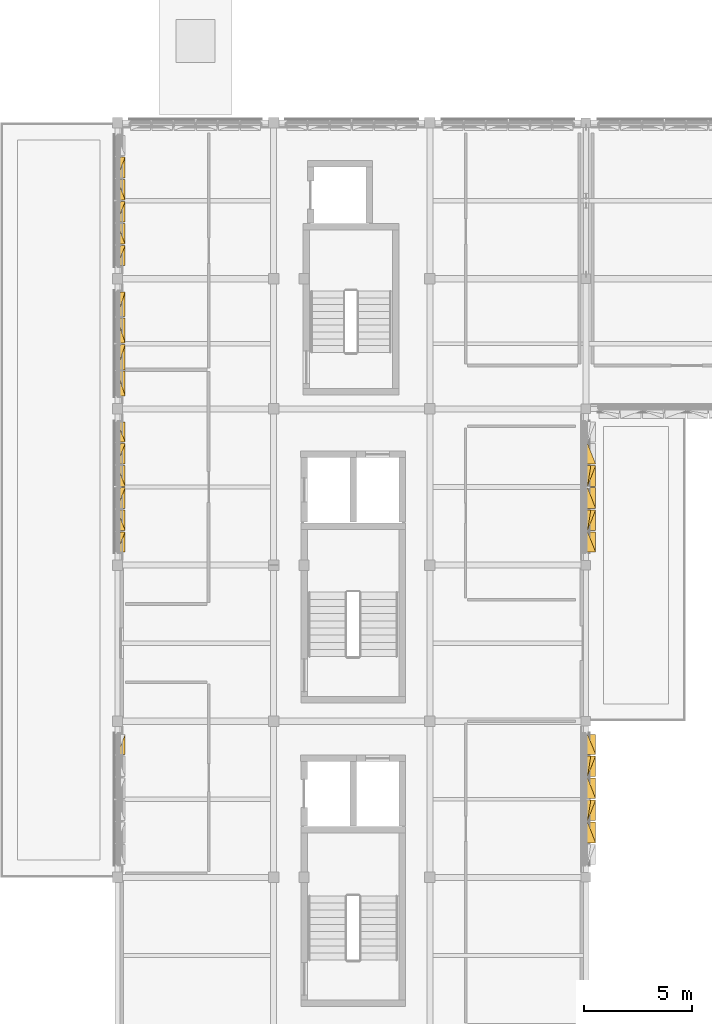
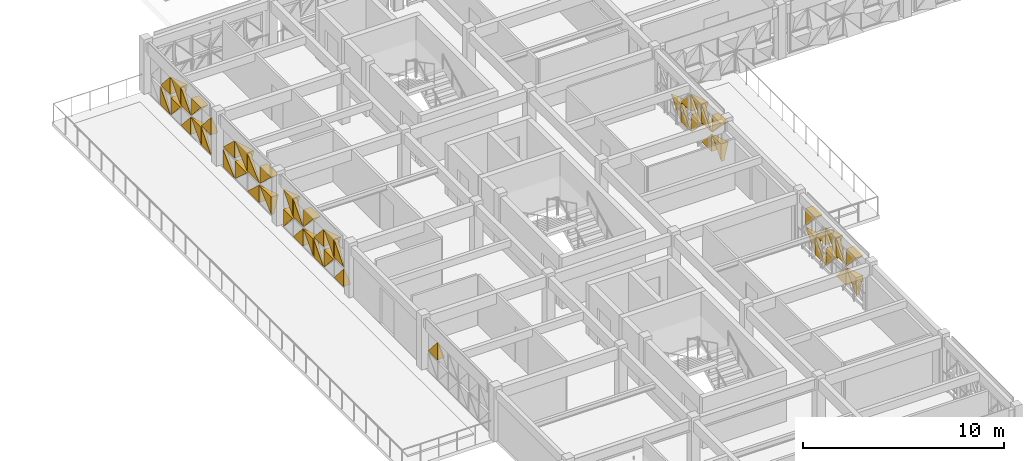
# One storey, part 32 of 35: 50 coverings.
"""IFC4 building model written with IfcOpenShell, lengths in metres."""

from ifc_helpers import new_model, si_unit, direction, frame, origin, place, context, subcontext, project, spatial, polygons, material, layer, layer_set, type_object, element, save


model = new_model("IFC4")

# Units and contexts
model_context = context("Model", 3, precision=1e-05, world=origin(), true_north=direction((0.0, 1.0)))
body_context = subcontext(model_context, "Body", "Model", "MODEL_VIEW")
ifc_project = project(units=[si_unit("LENGTHUNIT", "METRE"), si_unit("AREAUNIT", "SQUARE_METRE"), si_unit("VOLUMEUNIT", "CUBIC_METRE"), si_unit("PLANEANGLEUNIT", "RADIAN"), si_unit("MASSUNIT", "GRAM", prefix="KILO")], contexts=[model_context])

# Site, building, storey
site_placement = place(None, origin())
site = spatial("IfcSite", under=ifc_project, at=site_placement, CompositionType="ELEMENT")
building_placement = place(site_placement, origin())
building = spatial("IfcBuilding", under=site, at=building_placement, Name="Alvorim Cloister Faculty of Sciences", CompositionType="ELEMENT")
storey_placement = place(building_placement, frame((0.0, 0.0, 22.949951171875)))
storey = spatial("IfcBuildingStorey", under=building, at=storey_placement, Name="L06", CompositionType="ELEMENT", Elevation=22.949951171875)

# Coverings
ifc_material = material(Name="Perforated Bronze Alloy Sheet", Category="metal")
ifc_layer = layer(ifc_material, 0.0380859375)
ifc_layer_set = layer_set([ifc_layer], Name="Perforated Bronze Alloy Sheet")
covering_type = type_object("IfcCoveringType", Name="COV-TRI-BRZ", PredefinedType="CLADDING", material=ifc_layer_set)
covering_1_placement = place(storey_placement, frame((7.155029296875, 27.2724609375, 1.344970703125), z_axis=(0.0, 0.0, 1.0), x_axis=(0.0, 1.0, 0.0)))
element("IfcCovering", 1, at=covering_1_placement, inside=storey, type_object=covering_type, Name="Diagonal Solid Metal Triangle TRI-BL", PredefinedType="CLADDING", context=body_context, shape_type="Tessellation", body=[
    polygons([(0.0, 0.0260009765625, 0.0), (0.920607421875, 0.0260009765625, 0.0), (0.0, 0.0260009765625, 1.063185546875), (0.0, -0.4, 0.0), (0.920607421875, -0.4, 0.0), (0.0, -0.03, 1.063185546875)], [[[1, 3, 2]], [[4, 5, 6]], [[1, 2, 5, 4]], [[2, 3, 6, 5]], [[3, 1, 4, 6]]], closed=True),
])
covering_2_placement = place(storey_placement, frame((7.155029296875, 36.60498046875, 0.14013671875), z_axis=(0.0, 0.0, 1.0), x_axis=(0.0, 1.0, 0.0)))
element("IfcCovering", 2, at=covering_2_placement, inside=storey, type_object=covering_type, Name="Diagonal Solid Metal Triangle TRI-BL", PredefinedType="CLADDING", context=body_context, shape_type="Tessellation", body=[
    polygons([(0.0, 0.0260009765625, 0.0), (0.920607421875, 0.0260009765625, 0.0), (0.0, 0.0260009765625, 1.06294140625), (0.0, -0.4, 0.0), (0.920607421875, -0.4, 0.0), (0.0, -0.03, 1.06294140625)], [[[1, 3, 2]], [[4, 5, 6]], [[1, 2, 5, 4]], [[2, 3, 6, 5]], [[3, 1, 4, 6]]], closed=True),
])
covering_3_placement = place(storey_placement, frame((7.155029296875, 36.60498046875, 1.344970703125), z_axis=(0.0, 0.0, 1.0), x_axis=(0.0, 1.0, 0.0)))
element("IfcCovering", 3, at=covering_3_placement, inside=storey, type_object=covering_type, Name="Diagonal Solid Metal Triangle TRI-BR", PredefinedType="CLADDING", context=body_context, shape_type="Tessellation", body=[
    polygons([(0.002, 0.0260009765625, 0.0), (0.922607421875, 0.0260009765625, 0.0), (0.922607421875, 0.0260009765625, 1.063185546875), (0.002, -0.03, 0.0), (0.922607421875, -0.4, 0.0), (0.922607421875, -0.18000000000000002, 1.063185546875)], [[[1, 3, 2]], [[4, 5, 6]], [[1, 2, 5, 4]], [[2, 3, 6, 5]], [[3, 1, 4, 6]]], closed=True),
])
covering_4_placement = place(storey_placement, frame((7.155029296875, 37.592529296875, 0.14013671875), z_axis=(0.0, 0.0, 1.0), x_axis=(0.0, 1.0, 0.0)))
element("IfcCovering", 4, at=covering_4_placement, inside=storey, type_object=covering_type, Name="Diagonal Solid Metal Triangle TRI-TR", PredefinedType="CLADDING", context=body_context, shape_type="Tessellation", body=[
    polygons([(0.955078125, 0.0260009765625, 0.002), (0.955078125, 0.0260009765625, 1.06494140625), (0.002, 0.0260009765625, 1.06494140625), (0.955078125, -0.03, 0.002), (0.955078125, -0.4, 1.06494140625), (0.002, -0.4, 1.06494140625)], [[[1, 3, 2]], [[4, 5, 6]], [[1, 2, 5, 4]], [[2, 3, 6, 5]], [[3, 1, 4, 6]]], closed=True),
])
covering_5_placement = place(storey_placement, frame((7.155029296875, 37.592529296875, 1.344970703125), z_axis=(0.0, 0.0, 1.0), x_axis=(0.0, 1.0, 0.0)))
element("IfcCovering", 5, at=covering_5_placement, inside=storey, type_object=covering_type, Name="Diagonal Solid Metal Triangle TRI-TL", PredefinedType="CLADDING", context=body_context, shape_type="Tessellation", body=[
    polygons([(0.953078125, 0.0260009765625, 1.065185546875), (0.0, 0.0260009765625, 1.065185546875), (0.0, 0.0260009765625, 0.002), (0.953078125, -0.03, 1.065185546875), (0.0, -0.4, 1.065185546875), (0.0, -0.13999999999999999, 0.002)], [[[1, 3, 2]], [[4, 5, 6]], [[1, 2, 5, 4]], [[2, 3, 6, 5]], [[3, 1, 4, 6]]], closed=True),
])
covering_6_placement = place(storey_placement, frame((7.155029296875, 38.612548828125, 0.14013671875), z_axis=(0.0, 0.0, 1.0), x_axis=(0.0, 1.0, 0.0)))
element("IfcCovering", 6, at=covering_6_placement, inside=storey, type_object=covering_type, Name="Diagonal Solid Metal Triangle TRI-BR", PredefinedType="CLADDING", context=body_context, shape_type="Tessellation", body=[
    polygons([(0.002, 0.0260009765625, 0.0), (0.955078125, 0.0260009765625, 0.0), (0.955078125, 0.0260009765625, 1.06294140625), (0.002, -0.03, 0.0), (0.955078125, -0.4, 0.0), (0.955078125, -0.18000000000000002, 1.06294140625)], [[[1, 3, 2]], [[4, 5, 6]], [[1, 2, 5, 4]], [[2, 3, 6, 5]], [[3, 1, 4, 6]]], closed=True),
])
covering_7_placement = place(storey_placement, frame((7.155029296875, 38.612548828125, 1.344970703125), z_axis=(0.0, 0.0, 1.0), x_axis=(0.0, 1.0, 0.0)))
element("IfcCovering", 7, at=covering_7_placement, inside=storey, type_object=covering_type, Name="Diagonal Solid Metal Triangle TRI-BL", PredefinedType="CLADDING", context=body_context, shape_type="Tessellation", body=[
    polygons([(0.0, 0.0260009765625, 0.0), (0.953078125, 0.0260009765625, 0.0), (0.0, 0.0260009765625, 1.063185546875), (0.0, -0.4, 0.0), (0.953078125, -0.4, 0.0), (0.0, -0.03, 1.063185546875)], [[[1, 3, 2]], [[4, 5, 6]], [[1, 2, 5, 4]], [[2, 3, 6, 5]], [[3, 1, 4, 6]]], closed=True),
])
covering_8_placement = place(storey_placement, frame((7.155029296875, 39.632568359375, 0.14013671875), z_axis=(0.0, 0.0, 1.0), x_axis=(0.0, 1.0, 0.0)))
element("IfcCovering", 8, at=covering_8_placement, inside=storey, type_object=covering_type, Name="Diagonal Solid Metal Triangle TRI-TL", PredefinedType="CLADDING", context=body_context, shape_type="Tessellation", body=[
    polygons([(0.953078125, 0.0260009765625, 1.06494140625), (0.0, 0.0260009765625, 1.06494140625), (0.0, 0.0260009765625, 0.002), (0.953078125, -0.03, 1.06494140625), (0.0, -0.4, 1.06494140625), (0.0, -0.13999999999999999, 0.002)], [[[1, 3, 2]], [[4, 5, 6]], [[1, 2, 5, 4]], [[2, 3, 6, 5]], [[3, 1, 4, 6]]], closed=True),
])
covering_9_placement = place(storey_placement, frame((7.155029296875, 39.632568359375, 1.344970703125), z_axis=(0.0, 0.0, 1.0), x_axis=(0.0, 1.0, 0.0)))
element("IfcCovering", 9, at=covering_9_placement, inside=storey, type_object=covering_type, Name="Diagonal Solid Metal Triangle TRI-TR", PredefinedType="CLADDING", context=body_context, shape_type="Tessellation", body=[
    polygons([(0.955078125, 0.0260009765625, 0.002), (0.955078125, 0.0260009765625, 1.065185546875), (0.002, 0.0260009765625, 1.065185546875), (0.955078125, -0.03, 0.002), (0.955078125, -0.4, 1.065185546875), (0.002, -0.4, 1.065185546875)], [[[1, 3, 2]], [[4, 5, 6]], [[1, 2, 5, 4]], [[2, 3, 6, 5]], [[3, 1, 4, 6]]], closed=True),
])
covering_10_placement = place(storey_placement, frame((7.155029296875, 40.652587890625, 0.14013671875), z_axis=(0.0, 0.0, 1.0), x_axis=(0.0, 1.0, 0.0)))
element("IfcCovering", 10, at=covering_10_placement, inside=storey, type_object=covering_type, Name="Diagonal Solid Metal Triangle TRI-BL", PredefinedType="CLADDING", context=body_context, shape_type="Tessellation", body=[
    polygons([(0.0, 0.0260009765625, 0.0), (0.953078125, 0.0260009765625, 0.0), (0.0, 0.0260009765625, 1.06294140625), (0.0, -0.4, 0.0), (0.953078125, -0.4, 0.0), (0.0, -0.03, 1.06294140625)], [[[1, 3, 2]], [[4, 5, 6]], [[1, 2, 5, 4]], [[2, 3, 6, 5]], [[3, 1, 4, 6]]], closed=True),
])
covering_11_placement = place(storey_placement, frame((7.155029296875, 40.652587890625, 1.344970703125), z_axis=(0.0, 0.0, 1.0), x_axis=(0.0, 1.0, 0.0)))
element("IfcCovering", 11, at=covering_11_placement, inside=storey, type_object=covering_type, Name="Diagonal Solid Metal Triangle TRI-BR", PredefinedType="CLADDING", context=body_context, shape_type="Tessellation", body=[
    polygons([(0.002, 0.0260009765625, 0.0), (0.955078125, 0.0260009765625, 0.0), (0.955078125, 0.0260009765625, 1.063185546875), (0.002, -0.03, 0.0), (0.955078125, -0.4, 0.0), (0.955078125, -0.18000000000000002, 1.063185546875)], [[[1, 3, 2]], [[4, 5, 6]], [[1, 2, 5, 4]], [[2, 3, 6, 5]], [[3, 1, 4, 6]]], closed=True),
])
covering_12_placement = place(storey_placement, frame((7.155029296875, 41.672607421875, 0.14013671875), z_axis=(0.0, 0.0, 1.0), x_axis=(0.0, 1.0, 0.0)))
element("IfcCovering", 12, at=covering_12_placement, inside=storey, type_object=covering_type, Name="Diagonal Solid Metal Triangle TRI-TR", PredefinedType="CLADDING", context=body_context, shape_type="Tessellation", body=[
    polygons([(0.922607421875, 0.0260009765625, 0.002), (0.922607421875, 0.0260009765625, 1.06494140625), (0.002, 0.0260009765625, 1.06494140625), (0.922607421875, -0.03, 0.002), (0.922607421875, -0.4, 1.06494140625), (0.002, -0.4, 1.06494140625)], [[[1, 3, 2]], [[4, 5, 6]], [[1, 2, 5, 4]], [[2, 3, 6, 5]], [[3, 1, 4, 6]]], closed=True),
])
covering_13_placement = place(storey_placement, frame((7.155029296875, 41.672607421875, 1.344970703125), z_axis=(0.0, 0.0, 1.0), x_axis=(0.0, 1.0, 0.0)))
element("IfcCovering", 13, at=covering_13_placement, inside=storey, type_object=covering_type, Name="Diagonal Solid Metal Triangle TRI-TL", PredefinedType="CLADDING", context=body_context, shape_type="Tessellation", body=[
    polygons([(0.920607421875, 0.0260009765625, 1.065185546875), (0.0, 0.0260009765625, 1.065185546875), (0.0, 0.0260009765625, 0.002), (0.920607421875, -0.03, 1.065185546875), (0.0, -0.4, 1.065185546875), (0.0, -0.13999999999999999, 0.002)], [[[1, 3, 2]], [[4, 5, 6]], [[1, 2, 5, 4]], [[2, 3, 6, 5]], [[3, 1, 4, 6]]], closed=True),
])
covering_14_placement = place(storey_placement, frame((7.155029296875, 43.804931640625, 0.14013671875), z_axis=(0.0, 0.0, 1.0), x_axis=(0.0, 1.0, 0.0)))
element("IfcCovering", 14, at=covering_14_placement, inside=storey, type_object=covering_type, Name="Diagonal Solid Metal Triangle TRI-TL", PredefinedType="CLADDING", context=body_context, shape_type="Tessellation", body=[
    polygons([(1.130568359375, 0.0260009765625, 1.06494140625), (0.0, 0.0260009765625, 1.06494140625), (0.0, 0.0260009765625, 0.002), (1.130568359375, -0.03, 1.06494140625), (0.0, -0.4, 1.06494140625), (0.0, -0.13999999999999999, 0.002)], [[[1, 3, 2]], [[4, 5, 6]], [[1, 2, 5, 4]], [[2, 3, 6, 5]], [[3, 1, 4, 6]]], closed=True),
])
covering_15_placement = place(storey_placement, frame((7.155029296875, 43.804931640625, 1.344970703125), z_axis=(0.0, 0.0, 1.0), x_axis=(0.0, 1.0, 0.0)))
element("IfcCovering", 15, at=covering_15_placement, inside=storey, type_object=covering_type, Name="Diagonal Solid Metal Triangle TRI-TR", PredefinedType="CLADDING", context=body_context, shape_type="Tessellation", body=[
    polygons([(1.132568359375, 0.0260009765625, 0.002), (1.132568359375, 0.0260009765625, 1.065185546875), (0.002, 0.0260009765625, 1.065185546875), (1.132568359375, -0.03, 0.002), (1.132568359375, -0.4, 1.065185546875), (0.002, -0.4, 1.065185546875)], [[[1, 3, 2]], [[4, 5, 6]], [[1, 2, 5, 4]], [[2, 3, 6, 5]], [[3, 1, 4, 6]]], closed=True),
])
covering_16_placement = place(storey_placement, frame((7.155029296875, 45.00244140625, 0.14013671875), z_axis=(0.0, 0.0, 1.0), x_axis=(0.0, 1.0, 0.0)))
element("IfcCovering", 16, at=covering_16_placement, inside=storey, type_object=covering_type, Name="Diagonal Solid Metal Triangle TRI-BL", PredefinedType="CLADDING", context=body_context, shape_type="Tessellation", body=[
    polygons([(0.0, 0.0260009765625, 0.0), (1.1630390625, 0.0260009765625, 0.0), (0.0, 0.0260009765625, 1.06294140625), (0.0, -0.4, 0.0), (1.1630390625, -0.4, 0.0), (0.0, -0.03, 1.06294140625)], [[[1, 3, 2]], [[4, 5, 6]], [[1, 2, 5, 4]], [[2, 3, 6, 5]], [[3, 1, 4, 6]]], closed=True),
])
covering_17_placement = place(storey_placement, frame((7.155029296875, 45.00244140625, 1.344970703125), z_axis=(0.0, 0.0, 1.0), x_axis=(0.0, 1.0, 0.0)))
element("IfcCovering", 17, at=covering_17_placement, inside=storey, type_object=covering_type, Name="Diagonal Solid Metal Triangle TRI-BR", PredefinedType="CLADDING", context=body_context, shape_type="Tessellation", body=[
    polygons([(0.002, 0.0260009765625, 0.0), (1.1650390625, 0.0260009765625, 0.0), (1.1650390625, 0.0260009765625, 1.063185546875), (0.002, -0.03, 0.0), (1.1650390625, -0.4, 0.0), (1.1650390625, -0.18000000000000002, 1.063185546875)], [[[1, 3, 2]], [[4, 5, 6]], [[1, 2, 5, 4]], [[2, 3, 6, 5]], [[3, 1, 4, 6]]], closed=True),
])
covering_18_placement = place(storey_placement, frame((7.155029296875, 46.232421875, 0.14013671875), z_axis=(0.0, 0.0, 1.0), x_axis=(0.0, 1.0, 0.0)))
element("IfcCovering", 18, at=covering_18_placement, inside=storey, type_object=covering_type, Name="Diagonal Solid Metal Triangle TRI-TR", PredefinedType="CLADDING", context=body_context, shape_type="Tessellation", body=[
    polygons([(1.1650390625, 0.0260009765625, 0.002), (1.1650390625, 0.0260009765625, 1.06494140625), (0.002, 0.0260009765625, 1.06494140625), (1.1650390625, -0.03, 0.002), (1.1650390625, -0.4, 1.06494140625), (0.002, -0.4, 1.06494140625)], [[[1, 3, 2]], [[4, 5, 6]], [[1, 2, 5, 4]], [[2, 3, 6, 5]], [[3, 1, 4, 6]]], closed=True),
])
covering_19_placement = place(storey_placement, frame((7.155029296875, 46.232421875, 1.344970703125), z_axis=(0.0, 0.0, 1.0), x_axis=(0.0, 1.0, 0.0)))
element("IfcCovering", 19, at=covering_19_placement, inside=storey, type_object=covering_type, Name="Diagonal Solid Metal Triangle TRI-TL", PredefinedType="CLADDING", context=body_context, shape_type="Tessellation", body=[
    polygons([(1.1630390625, 0.0260009765625, 1.065185546875), (0.0, 0.0260009765625, 1.065185546875), (0.0, 0.0260009765625, 0.002), (1.1630390625, -0.03, 1.065185546875), (0.0, -0.4, 1.065185546875), (0.0, -0.13999999999999999, 0.002)], [[[1, 3, 2]], [[4, 5, 6]], [[1, 2, 5, 4]], [[2, 3, 6, 5]], [[3, 1, 4, 6]]], closed=True),
])
covering_20_placement = place(storey_placement, frame((7.155029296875, 47.46240234375, 0.14013671875), z_axis=(0.0, 0.0, 1.0), x_axis=(0.0, 1.0, 0.0)))
element("IfcCovering", 20, at=covering_20_placement, inside=storey, type_object=covering_type, Name="Diagonal Solid Metal Triangle TRI-BR", PredefinedType="CLADDING", context=body_context, shape_type="Tessellation", body=[
    polygons([(0.002, 0.0260009765625, 0.0), (1.132568359375, 0.0260009765625, 0.0), (1.132568359375, 0.0260009765625, 1.06294140625), (0.002, -0.03, 0.0), (1.132568359375, -0.4, 0.0), (1.132568359375, -0.18000000000000002, 1.06294140625)], [[[1, 3, 2]], [[4, 5, 6]], [[1, 2, 5, 4]], [[2, 3, 6, 5]], [[3, 1, 4, 6]]], closed=True),
])
covering_21_placement = place(storey_placement, frame((7.155029296875, 47.46240234375, 1.344970703125), z_axis=(0.0, 0.0, 1.0), x_axis=(0.0, 1.0, 0.0)))
element("IfcCovering", 21, at=covering_21_placement, inside=storey, type_object=covering_type, Name="Diagonal Solid Metal Triangle TRI-BL", PredefinedType="CLADDING", context=body_context, shape_type="Tessellation", body=[
    polygons([(0.0, 0.0260009765625, 0.0), (1.130568359375, 0.0260009765625, 0.0), (0.0, 0.0260009765625, 1.063185546875), (0.0, -0.4, 0.0), (1.130568359375, -0.4, 0.0), (0.0, -0.03, 1.063185546875)], [[[1, 3, 2]], [[4, 5, 6]], [[1, 2, 5, 4]], [[2, 3, 6, 5]], [[3, 1, 4, 6]]], closed=True),
])
covering_22_placement = place(storey_placement, frame((7.155029296875, 49.804931640625, 0.14013671875), z_axis=(0.0, 0.0, 1.0), x_axis=(0.0, 1.0, 0.0)))
element("IfcCovering", 22, at=covering_22_placement, inside=storey, type_object=covering_type, Name="Diagonal Solid Metal Triangle TRI-BR", PredefinedType="CLADDING", context=body_context, shape_type="Tessellation", body=[
    polygons([(0.002, 0.0260009765625, 0.0), (0.922607421875, 0.0260009765625, 0.0), (0.922607421875, 0.0260009765625, 1.06294140625), (0.002, -0.03, 0.0), (0.922607421875, -0.4, 0.0), (0.922607421875, -0.18000000000000002, 1.06294140625)], [[[1, 3, 2]], [[4, 5, 6]], [[1, 2, 5, 4]], [[2, 3, 6, 5]], [[3, 1, 4, 6]]], closed=True),
])
covering_23_placement = place(storey_placement, frame((7.155029296875, 49.804931640625, 1.344970703125), z_axis=(0.0, 0.0, 1.0), x_axis=(0.0, 1.0, 0.0)))
element("IfcCovering", 23, at=covering_23_placement, inside=storey, type_object=covering_type, Name="Diagonal Solid Metal Triangle TRI-BL", PredefinedType="CLADDING", context=body_context, shape_type="Tessellation", body=[
    polygons([(0.0, 0.0260009765625, 0.0), (0.920607421875, 0.0260009765625, 0.0), (0.0, 0.0260009765625, 1.063185546875), (0.0, -0.4, 0.0), (0.920607421875, -0.4, 0.0), (0.0, -0.03, 1.063185546875)], [[[1, 3, 2]], [[4, 5, 6]], [[1, 2, 5, 4]], [[2, 3, 6, 5]], [[3, 1, 4, 6]]], closed=True),
])
covering_24_placement = place(storey_placement, frame((7.155029296875, 50.79248046875, 0.14013671875), z_axis=(0.0, 0.0, 1.0), x_axis=(0.0, 1.0, 0.0)))
element("IfcCovering", 24, at=covering_24_placement, inside=storey, type_object=covering_type, Name="Diagonal Solid Metal Triangle TRI-TL", PredefinedType="CLADDING", context=body_context, shape_type="Tessellation", body=[
    polygons([(0.953078125, 0.0260009765625, 1.06494140625), (0.0, 0.0260009765625, 1.06494140625), (0.0, 0.0260009765625, 0.002), (0.953078125, -0.03, 1.06494140625), (0.0, -0.4, 1.06494140625), (0.0, -0.13999999999999999, 0.002)], [[[1, 3, 2]], [[4, 5, 6]], [[1, 2, 5, 4]], [[2, 3, 6, 5]], [[3, 1, 4, 6]]], closed=True),
])
covering_25_placement = place(storey_placement, frame((7.155029296875, 50.79248046875, 1.344970703125), z_axis=(0.0, 0.0, 1.0), x_axis=(0.0, 1.0, 0.0)))
element("IfcCovering", 25, at=covering_25_placement, inside=storey, type_object=covering_type, Name="Diagonal Solid Metal Triangle TRI-TR", PredefinedType="CLADDING", context=body_context, shape_type="Tessellation", body=[
    polygons([(0.955078125, 0.0260009765625, 0.002), (0.955078125, 0.0260009765625, 1.065185546875), (0.002, 0.0260009765625, 1.065185546875), (0.955078125, -0.03, 0.002), (0.955078125, -0.4, 1.065185546875), (0.002, -0.4, 1.065185546875)], [[[1, 3, 2]], [[4, 5, 6]], [[1, 2, 5, 4]], [[2, 3, 6, 5]], [[3, 1, 4, 6]]], closed=True),
])
covering_26_placement = place(storey_placement, frame((7.155029296875, 51.8125, 0.14013671875), z_axis=(0.0, 0.0, 1.0), x_axis=(0.0, 1.0, 0.0)))
element("IfcCovering", 26, at=covering_26_placement, inside=storey, type_object=covering_type, Name="Diagonal Solid Metal Triangle TRI-BL", PredefinedType="CLADDING", context=body_context, shape_type="Tessellation", body=[
    polygons([(0.0, 0.0260009765625, 0.0), (0.953078125, 0.0260009765625, 0.0), (0.0, 0.0260009765625, 1.06294140625), (0.0, -0.4, 0.0), (0.953078125, -0.4, 0.0), (0.0, -0.03, 1.06294140625)], [[[1, 3, 2]], [[4, 5, 6]], [[1, 2, 5, 4]], [[2, 3, 6, 5]], [[3, 1, 4, 6]]], closed=True),
])
covering_27_placement = place(storey_placement, frame((7.155029296875, 51.8125, 1.344970703125), z_axis=(0.0, 0.0, 1.0), x_axis=(0.0, 1.0, 0.0)))
element("IfcCovering", 27, at=covering_27_placement, inside=storey, type_object=covering_type, Name="Diagonal Solid Metal Triangle TRI-BR", PredefinedType="CLADDING", context=body_context, shape_type="Tessellation", body=[
    polygons([(0.002, 0.0260009765625, 0.0), (0.955078125, 0.0260009765625, 0.0), (0.955078125, 0.0260009765625, 1.063185546875), (0.002, -0.03, 0.0), (0.955078125, -0.4, 0.0), (0.955078125, -0.18000000000000002, 1.063185546875)], [[[1, 3, 2]], [[4, 5, 6]], [[1, 2, 5, 4]], [[2, 3, 6, 5]], [[3, 1, 4, 6]]], closed=True),
])
covering_28_placement = place(storey_placement, frame((7.155029296875, 52.83251953125, 0.14013671875), z_axis=(0.0, 0.0, 1.0), x_axis=(0.0, 1.0, 0.0)))
element("IfcCovering", 28, at=covering_28_placement, inside=storey, type_object=covering_type, Name="Diagonal Solid Metal Triangle TRI-TR", PredefinedType="CLADDING", context=body_context, shape_type="Tessellation", body=[
    polygons([(0.955078125, 0.0260009765625, 0.002), (0.955078125, 0.0260009765625, 1.06494140625), (0.002, 0.0260009765625, 1.06494140625), (0.955078125, -0.03, 0.002), (0.955078125, -0.4, 1.06494140625), (0.002, -0.4, 1.06494140625)], [[[1, 3, 2]], [[4, 5, 6]], [[1, 2, 5, 4]], [[2, 3, 6, 5]], [[3, 1, 4, 6]]], closed=True),
])
covering_29_placement = place(storey_placement, frame((7.155029296875, 52.83251953125, 1.344970703125), z_axis=(0.0, 0.0, 1.0), x_axis=(0.0, 1.0, 0.0)))
element("IfcCovering", 29, at=covering_29_placement, inside=storey, type_object=covering_type, Name="Diagonal Solid Metal Triangle TRI-TL", PredefinedType="CLADDING", context=body_context, shape_type="Tessellation", body=[
    polygons([(0.953078125, 0.0260009765625, 1.065185546875), (0.0, 0.0260009765625, 1.065185546875), (0.0, 0.0260009765625, 0.002), (0.953078125, -0.03, 1.065185546875), (0.0, -0.4, 1.065185546875), (0.0, -0.13999999999999999, 0.002)], [[[1, 3, 2]], [[4, 5, 6]], [[1, 2, 5, 4]], [[2, 3, 6, 5]], [[3, 1, 4, 6]]], closed=True),
])
covering_30_placement = place(storey_placement, frame((7.155029296875, 53.8525390625, 0.14013671875), z_axis=(0.0, 0.0, 1.0), x_axis=(0.0, 1.0, 0.0)))
element("IfcCovering", 30, at=covering_30_placement, inside=storey, type_object=covering_type, Name="Diagonal Solid Metal Triangle TRI-BR", PredefinedType="CLADDING", context=body_context, shape_type="Tessellation", body=[
    polygons([(0.002, 0.0260009765625, 0.0), (0.955078125, 0.0260009765625, 0.0), (0.955078125, 0.0260009765625, 1.06294140625), (0.002, -0.03, 0.0), (0.955078125, -0.4, 0.0), (0.955078125, -0.18000000000000002, 1.06294140625)], [[[1, 3, 2]], [[4, 5, 6]], [[1, 2, 5, 4]], [[2, 3, 6, 5]], [[3, 1, 4, 6]]], closed=True),
])
covering_31_placement = place(storey_placement, frame((7.155029296875, 53.8525390625, 1.344970703125), z_axis=(0.0, 0.0, 1.0), x_axis=(0.0, 1.0, 0.0)))
element("IfcCovering", 31, at=covering_31_placement, inside=storey, type_object=covering_type, Name="Diagonal Solid Metal Triangle TRI-BL", PredefinedType="CLADDING", context=body_context, shape_type="Tessellation", body=[
    polygons([(0.0, 0.0260009765625, 0.0), (0.953078125, 0.0260009765625, 0.0), (0.0, 0.0260009765625, 1.063185546875), (0.0, -0.4, 0.0), (0.953078125, -0.4, 0.0), (0.0, -0.03, 1.063185546875)], [[[1, 3, 2]], [[4, 5, 6]], [[1, 2, 5, 4]], [[2, 3, 6, 5]], [[3, 1, 4, 6]]], closed=True),
])
covering_32_placement = place(storey_placement, frame((28.844970703125, 36.60498046875, 0.14013671875), z_axis=(0.0, 0.0, 1.0), x_axis=(0.0, 1.0, 0.0)))
element("IfcCovering", 32, at=covering_32_placement, inside=storey, type_object=covering_type, Name="Diagonal Solid Metal Triangle TRI-TL", PredefinedType="CLADDING", context=body_context, shape_type="Tessellation", body=[
    polygons([(0.920607421875, 0.0260009765625, 1.06494140625), (0.0, 0.0260009765625, 1.06494140625), (0.0, 0.0260009765625, 0.002), (0.920607421875, -0.03, 1.06494140625), (0.0, -0.4, 1.06494140625), (0.0, -0.13999999999999999, 0.002)], [[[1, 3, 2]], [[4, 5, 6]], [[1, 2, 5, 4]], [[2, 3, 6, 5]], [[3, 1, 4, 6]]], closed=True),
])
covering_33_placement = place(storey_placement, frame((28.844970703125, 36.60498046875, 1.344970703125), z_axis=(0.0, 0.0, 1.0), x_axis=(0.0, 1.0, 0.0)))
element("IfcCovering", 33, at=covering_33_placement, inside=storey, type_object=covering_type, Name="Diagonal Solid Metal Triangle TRI-TR", PredefinedType="CLADDING", context=body_context, shape_type="Tessellation", body=[
    polygons([(0.922607421875, 0.0260009765625, 0.002), (0.922607421875, 0.0260009765625, 1.065185546875), (0.002, 0.0260009765625, 1.065185546875), (0.922607421875, -0.03, 0.002), (0.922607421875, -0.4, 1.065185546875), (0.002, -0.4, 1.065185546875)], [[[1, 3, 2]], [[4, 5, 6]], [[1, 2, 5, 4]], [[2, 3, 6, 5]], [[3, 1, 4, 6]]], closed=True),
])
covering_34_placement = place(storey_placement, frame((28.844970703125, 37.592529296875, 0.14013671875), z_axis=(0.0, 0.0, 1.0), x_axis=(0.0, 1.0, 0.0)))
element("IfcCovering", 34, at=covering_34_placement, inside=storey, type_object=covering_type, Name="Diagonal Solid Metal Triangle TRI-BL", PredefinedType="CLADDING", context=body_context, shape_type="Tessellation", body=[
    polygons([(0.0, 0.0260009765625, 0.0), (0.953078125, 0.0260009765625, 0.0), (0.0, 0.0260009765625, 1.06294140625), (0.0, -0.4, 0.0), (0.953078125, -0.4, 0.0), (0.0, -0.03, 1.06294140625)], [[[1, 3, 2]], [[4, 5, 6]], [[1, 2, 5, 4]], [[2, 3, 6, 5]], [[3, 1, 4, 6]]], closed=True),
])
covering_35_placement = place(storey_placement, frame((28.844970703125, 37.592529296875, 1.344970703125), z_axis=(0.0, 0.0, 1.0), x_axis=(0.0, 1.0, 0.0)))
element("IfcCovering", 35, at=covering_35_placement, inside=storey, type_object=covering_type, Name="Diagonal Solid Metal Triangle TRI-BR", PredefinedType="CLADDING", context=body_context, shape_type="Tessellation", body=[
    polygons([(0.002, 0.0260009765625, 0.0), (0.955078125, 0.0260009765625, 0.0), (0.955078125, 0.0260009765625, 1.063185546875), (0.002, -0.03, 0.0), (0.955078125, -0.4, 0.0), (0.955078125, -0.18000000000000002, 1.063185546875)], [[[1, 3, 2]], [[4, 5, 6]], [[1, 2, 5, 4]], [[2, 3, 6, 5]], [[3, 1, 4, 6]]], closed=True),
])
covering_36_placement = place(storey_placement, frame((28.844970703125, 38.612548828125, 0.14013671875), z_axis=(0.0, 0.0, 1.0), x_axis=(0.0, 1.0, 0.0)))
element("IfcCovering", 36, at=covering_36_placement, inside=storey, type_object=covering_type, Name="Diagonal Solid Metal Triangle TRI-TR", PredefinedType="CLADDING", context=body_context, shape_type="Tessellation", body=[
    polygons([(0.955078125, 0.0260009765625, 0.002), (0.955078125, 0.0260009765625, 1.06494140625), (0.002, 0.0260009765625, 1.06494140625), (0.955078125, -0.03, 0.002), (0.955078125, -0.4, 1.06494140625), (0.002, -0.4, 1.06494140625)], [[[1, 3, 2]], [[4, 5, 6]], [[1, 2, 5, 4]], [[2, 3, 6, 5]], [[3, 1, 4, 6]]], closed=True),
])
covering_37_placement = place(storey_placement, frame((28.844970703125, 38.612548828125, 1.344970703125), z_axis=(0.0, 0.0, 1.0), x_axis=(0.0, 1.0, 0.0)))
element("IfcCovering", 37, at=covering_37_placement, inside=storey, type_object=covering_type, Name="Diagonal Solid Metal Triangle TRI-TL", PredefinedType="CLADDING", context=body_context, shape_type="Tessellation", body=[
    polygons([(0.953078125, 0.0260009765625, 1.065185546875), (0.0, 0.0260009765625, 1.065185546875), (0.0, 0.0260009765625, 0.002), (0.953078125, -0.03, 1.065185546875), (0.0, -0.4, 1.065185546875), (0.0, -0.13999999999999999, 0.002)], [[[1, 3, 2]], [[4, 5, 6]], [[1, 2, 5, 4]], [[2, 3, 6, 5]], [[3, 1, 4, 6]]], closed=True),
])
covering_38_placement = place(storey_placement, frame((28.844970703125, 39.632568359375, 0.14013671875), z_axis=(0.0, 0.0, 1.0), x_axis=(0.0, 1.0, 0.0)))
element("IfcCovering", 38, at=covering_38_placement, inside=storey, type_object=covering_type, Name="Diagonal Solid Metal Triangle TRI-BR", PredefinedType="CLADDING", context=body_context, shape_type="Tessellation", body=[
    polygons([(0.002, 0.0260009765625, 0.0), (0.955078125, 0.0260009765625, 0.0), (0.955078125, 0.0260009765625, 1.06294140625), (0.002, -0.03, 0.0), (0.955078125, -0.4, 0.0), (0.955078125, -0.18000000000000002, 1.06294140625)], [[[1, 3, 2]], [[4, 5, 6]], [[1, 2, 5, 4]], [[2, 3, 6, 5]], [[3, 1, 4, 6]]], closed=True),
])
covering_39_placement = place(storey_placement, frame((28.844970703125, 39.632568359375, 1.344970703125), z_axis=(0.0, 0.0, 1.0), x_axis=(0.0, 1.0, 0.0)))
element("IfcCovering", 39, at=covering_39_placement, inside=storey, type_object=covering_type, Name="Diagonal Solid Metal Triangle TRI-BL", PredefinedType="CLADDING", context=body_context, shape_type="Tessellation", body=[
    polygons([(0.0, 0.0260009765625, 0.0), (0.953078125, 0.0260009765625, 0.0), (0.0, 0.0260009765625, 1.063185546875), (0.0, -0.4, 0.0), (0.953078125, -0.4, 0.0), (0.0, -0.03, 1.063185546875)], [[[1, 3, 2]], [[4, 5, 6]], [[1, 2, 5, 4]], [[2, 3, 6, 5]], [[3, 1, 4, 6]]], closed=True),
])
for number, where, z_axis, x_axis, name in (
    (40, (28.844970703125, 40.652587890625, 0.14013671875), (0.0, 0.0, 1.0), (0.0, 1.0, 0.0), "Diagonal Solid Metal Triangle TRI-TL"),
    (41, (28.844970703125, 23.1923828125, 0.14013671875), (0.0, 0.0, 1.0), (0.0, 1.0, 0.0), "Diagonal Solid Metal Triangle TRI-TL"),
):
    element("IfcCovering", number, at=place(storey_placement, frame(where, z_axis=z_axis, x_axis=x_axis)), inside=storey, type_object=covering_type, Name=name, PredefinedType="CLADDING", context=body_context, shape_type="Tessellation", body=[
        polygons([(0.953078125, 0.0260009765625, 1.06494140625), (0.0, 0.0260009765625, 1.06494140625), (0.0, 0.0260009765625, 0.002), (0.953078125, -0.03, 1.06494140625), (0.0, -0.4, 1.06494140625), (0.0, -0.13999999999999999, 0.002)], [[[1, 3, 2]], [[4, 5, 6]], [[1, 2, 5, 4]], [[2, 3, 6, 5]], [[3, 1, 4, 6]]], closed=True),
    ])
covering_40_placement = place(storey_placement, frame((28.844970703125, 23.1923828125, 1.344970703125), z_axis=(0.0, 0.0, 1.0), x_axis=(0.0, 1.0, 0.0)))
element("IfcCovering", 42, at=covering_40_placement, inside=storey, type_object=covering_type, Name="Diagonal Solid Metal Triangle TRI-TR", PredefinedType="CLADDING", context=body_context, shape_type="Tessellation", body=[
    polygons([(0.955078125, 0.0260009765625, 0.002), (0.955078125, 0.0260009765625, 1.065185546875), (0.002, 0.0260009765625, 1.065185546875), (0.955078125, -0.03, 0.002), (0.955078125, -0.4, 1.065185546875), (0.002, -0.4, 1.065185546875)], [[[1, 3, 2]], [[4, 5, 6]], [[1, 2, 5, 4]], [[2, 3, 6, 5]], [[3, 1, 4, 6]]], closed=True),
])
covering_41_placement = place(storey_placement, frame((28.844970703125, 24.21240234375, 0.14013671875), z_axis=(0.0, 0.0, 1.0), x_axis=(0.0, 1.0, 0.0)))
element("IfcCovering", 43, at=covering_41_placement, inside=storey, type_object=covering_type, Name="Diagonal Solid Metal Triangle TRI-BL", PredefinedType="CLADDING", context=body_context, shape_type="Tessellation", body=[
    polygons([(0.0, 0.0260009765625, 0.0), (0.953078125, 0.0260009765625, 0.0), (0.0, 0.0260009765625, 1.06294140625), (0.0, -0.4, 0.0), (0.953078125, -0.4, 0.0), (0.0, -0.03, 1.06294140625)], [[[1, 3, 2]], [[4, 5, 6]], [[1, 2, 5, 4]], [[2, 3, 6, 5]], [[3, 1, 4, 6]]], closed=True),
])
covering_42_placement = place(storey_placement, frame((28.844970703125, 24.21240234375, 1.344970703125), z_axis=(0.0, 0.0, 1.0), x_axis=(0.0, 1.0, 0.0)))
element("IfcCovering", 44, at=covering_42_placement, inside=storey, type_object=covering_type, Name="Diagonal Solid Metal Triangle TRI-BR", PredefinedType="CLADDING", context=body_context, shape_type="Tessellation", body=[
    polygons([(0.002, 0.0260009765625, 0.0), (0.955078125, 0.0260009765625, 0.0), (0.955078125, 0.0260009765625, 1.063185546875), (0.002, -0.03, 0.0), (0.955078125, -0.4, 0.0), (0.955078125, -0.18000000000000002, 1.063185546875)], [[[1, 3, 2]], [[4, 5, 6]], [[1, 2, 5, 4]], [[2, 3, 6, 5]], [[3, 1, 4, 6]]], closed=True),
])
covering_43_placement = place(storey_placement, frame((28.844970703125, 25.232421875, 0.14013671875), z_axis=(0.0, 0.0, 1.0), x_axis=(0.0, 1.0, 0.0)))
element("IfcCovering", 45, at=covering_43_placement, inside=storey, type_object=covering_type, Name="Diagonal Solid Metal Triangle TRI-TR", PredefinedType="CLADDING", context=body_context, shape_type="Tessellation", body=[
    polygons([(0.955078125, 0.0260009765625, 0.002), (0.955078125, 0.0260009765625, 1.06494140625), (0.002, 0.0260009765625, 1.06494140625), (0.955078125, -0.03, 0.002), (0.955078125, -0.4, 1.06494140625), (0.002, -0.4, 1.06494140625)], [[[1, 3, 2]], [[4, 5, 6]], [[1, 2, 5, 4]], [[2, 3, 6, 5]], [[3, 1, 4, 6]]], closed=True),
])
covering_44_placement = place(storey_placement, frame((28.844970703125, 25.232421875, 1.344970703125), z_axis=(0.0, 0.0, 1.0), x_axis=(0.0, 1.0, 0.0)))
element("IfcCovering", 46, at=covering_44_placement, inside=storey, type_object=covering_type, Name="Diagonal Solid Metal Triangle TRI-TL", PredefinedType="CLADDING", context=body_context, shape_type="Tessellation", body=[
    polygons([(0.953078125, 0.0260009765625, 1.065185546875), (0.0, 0.0260009765625, 1.065185546875), (0.0, 0.0260009765625, 0.002), (0.953078125, -0.03, 1.065185546875), (0.0, -0.4, 1.065185546875), (0.0, -0.13999999999999999, 0.002)], [[[1, 3, 2]], [[4, 5, 6]], [[1, 2, 5, 4]], [[2, 3, 6, 5]], [[3, 1, 4, 6]]], closed=True),
])
covering_45_placement = place(storey_placement, frame((28.844970703125, 26.25244140625, 0.14013671875), z_axis=(0.0, 0.0, 1.0), x_axis=(0.0, 1.0, 0.0)))
element("IfcCovering", 47, at=covering_45_placement, inside=storey, type_object=covering_type, Name="Diagonal Solid Metal Triangle TRI-BR", PredefinedType="CLADDING", context=body_context, shape_type="Tessellation", body=[
    polygons([(0.002, 0.0260009765625, 0.0), (0.955078125, 0.0260009765625, 0.0), (0.955078125, 0.0260009765625, 1.06294140625), (0.002, -0.03, 0.0), (0.955078125, -0.4, 0.0), (0.955078125, -0.18000000000000002, 1.06294140625)], [[[1, 3, 2]], [[4, 5, 6]], [[1, 2, 5, 4]], [[2, 3, 6, 5]], [[3, 1, 4, 6]]], closed=True),
])
covering_46_placement = place(storey_placement, frame((28.844970703125, 26.25244140625, 1.344970703125), z_axis=(0.0, 0.0, 1.0), x_axis=(0.0, 1.0, 0.0)))
element("IfcCovering", 48, at=covering_46_placement, inside=storey, type_object=covering_type, Name="Diagonal Solid Metal Triangle TRI-BL", PredefinedType="CLADDING", context=body_context, shape_type="Tessellation", body=[
    polygons([(0.0, 0.0260009765625, 0.0), (0.953078125, 0.0260009765625, 0.0), (0.0, 0.0260009765625, 1.063185546875), (0.0, -0.4, 0.0), (0.953078125, -0.4, 0.0), (0.0, -0.03, 1.063185546875)], [[[1, 3, 2]], [[4, 5, 6]], [[1, 2, 5, 4]], [[2, 3, 6, 5]], [[3, 1, 4, 6]]], closed=True),
])
covering_47_placement = place(storey_placement, frame((28.844970703125, 27.2724609375, 0.14013671875), z_axis=(0.0, 0.0, 1.0), x_axis=(0.0, 1.0, 0.0)))
element("IfcCovering", 49, at=covering_47_placement, inside=storey, type_object=covering_type, Name="Diagonal Solid Metal Triangle TRI-TL", PredefinedType="CLADDING", context=body_context, shape_type="Tessellation", body=[
    polygons([(0.920607421875, 0.0260009765625, 1.06494140625), (0.0, 0.0260009765625, 1.06494140625), (0.0, 0.0260009765625, 0.002), (0.920607421875, -0.03, 1.06494140625), (0.0, -0.4, 1.06494140625), (0.0, -0.13999999999999999, 0.002)], [[[1, 3, 2]], [[4, 5, 6]], [[1, 2, 5, 4]], [[2, 3, 6, 5]], [[3, 1, 4, 6]]], closed=True),
])
covering_48_placement = place(storey_placement, frame((28.844970703125, 27.2724609375, 1.344970703125), z_axis=(0.0, 0.0, 1.0), x_axis=(0.0, 1.0, 0.0)))
element("IfcCovering", 50, at=covering_48_placement, inside=storey, type_object=covering_type, Name="Diagonal Solid Metal Triangle TRI-TR", PredefinedType="CLADDING", context=body_context, shape_type="Tessellation", body=[
    polygons([(0.922607421875, 0.0260009765625, 0.002), (0.922607421875, 0.0260009765625, 1.065185546875), (0.002, 0.0260009765625, 1.065185546875), (0.922607421875, -0.03, 0.002), (0.922607421875, -0.4, 1.065185546875), (0.002, -0.4, 1.065185546875)], [[[1, 3, 2]], [[4, 5, 6]], [[1, 2, 5, 4]], [[2, 3, 6, 5]], [[3, 1, 4, 6]]], closed=True),
])

save(model, "model.ifc")
